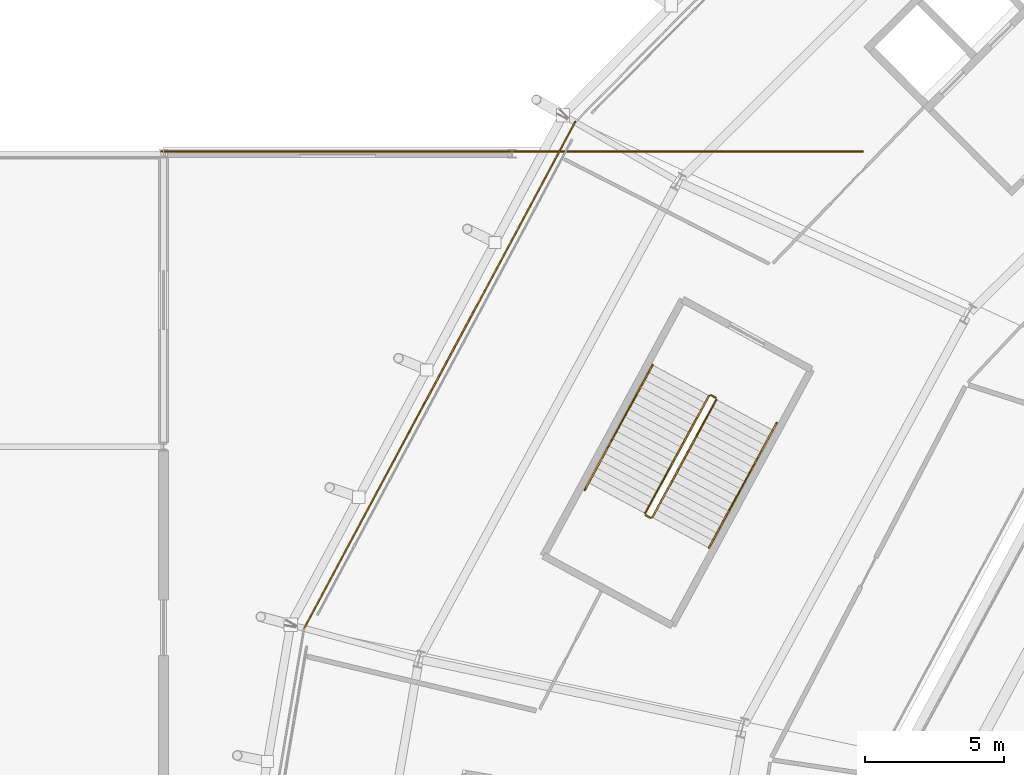
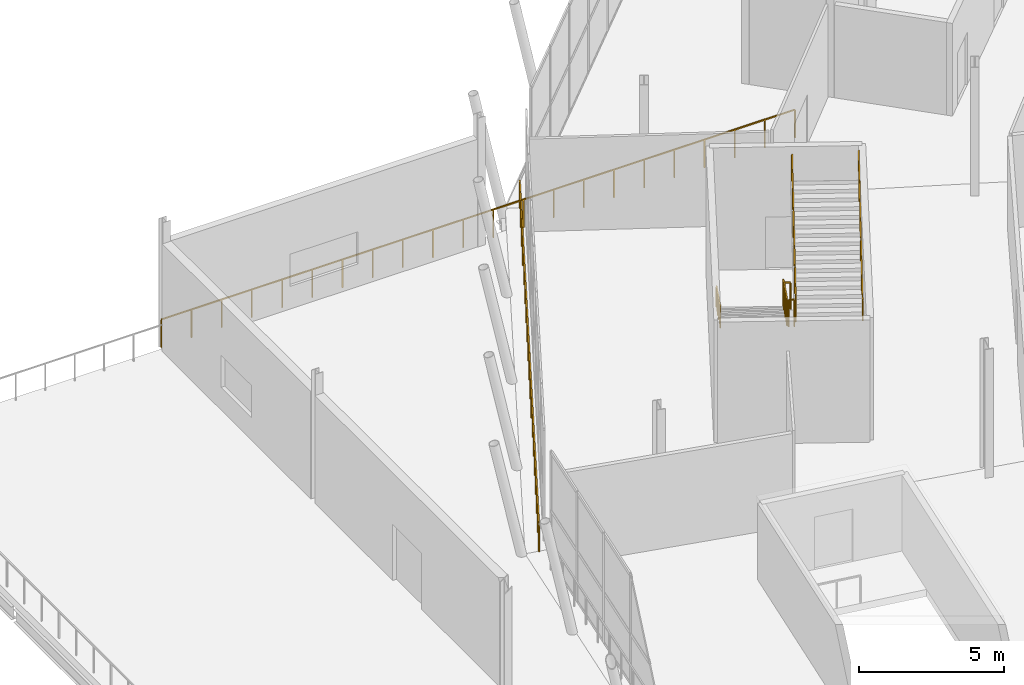
# One storey, part 113 of 126: 8 railings.
"""IFC4 building model written with IfcOpenShell, lengths in metres."""

import ifcopenshell
import ifcopenshell.guid

model = None  # the IFC model being written
_history = None  # IfcOwnerHistory: only IFC2X3 demands one
_inside = {}  # id of a spatial element -> (the spatial element, [elements in it])
_under = {}  # id of a project, library or spatial element -> (it, [spatial elements below it])
_declared = {}  # id of a project -> (the project, [libraries it declares])
_typed = {}  # id of a type object -> (the type object, [elements of that type])
_made_of = {}  # id of a material, layer set ... -> (it, [elements and type objects made of it])


def new_model(schema):
    """Start an empty IFC model of exactly this schema.

    Asked for "IFC4X3", IfcOpenShell would pick the latest addendum, in which some entities
    have other attributes; the version numbers below select the first issue.
    IFC2X3 requires an IfcOwnerHistory on every rooted entity: one is made here for all.
    """
    global model, _history
    if schema == "IFC4X3":
        model = ifcopenshell.file(schema_version=(4, 3, 0, 0))
    else:
        model = ifcopenshell.file(schema=schema)
    _inside.clear()
    _under.clear()
    _declared.clear()
    _typed.clear()
    _made_of.clear()
    _history = None
    if model.schema == "IFC2X3":
        org = make("IfcOrganization", Name="unknown")
        user = make(
            "IfcPersonAndOrganization",
            ThePerson=make("IfcPerson", FamilyName="unknown"),
            TheOrganization=org,
        )
        app = make(
            "IfcApplication",
            ApplicationDeveloper=org,
            Version="unknown",
            ApplicationFullName="unknown",
            ApplicationIdentifier="unknown",
        )
        _history = make(
            "IfcOwnerHistory",
            OwningUser=user,
            OwningApplication=app,
            ChangeAction="ADDED",
            CreationDate=0,
        )
    return model


def make(cls, **values):
    """One entity of the class cls with the attributes given. An attribute that is None is left unset."""
    return model.create_entity(
        cls, **{name: value for name, value in values.items() if value is not None}
    )


def rooted(cls, **values):
    """An entity with a GlobalId (a new one), such as an element, a storey or a relation."""
    return make(cls, GlobalId=ifcopenshell.guid.new(), OwnerHistory=_history, **values)


def si_unit(unit_type, name, prefix=None):
    """IfcSIUnit, for example si_unit("LENGTHUNIT", "METRE", prefix="MILLI")."""
    return make("IfcSIUnit", UnitType=unit_type, Prefix=prefix, Name=name)


def assignment(units):
    """IfcUnitAssignment: the units of a project."""
    return None if units is None else make("IfcUnitAssignment", Units=units)


def point(xyz):
    """IfcCartesianPoint."""
    return None if xyz is None else make("IfcCartesianPoint", Coordinates=xyz)


def direction(xyz):
    """IfcDirection."""
    return None if xyz is None else make("IfcDirection", DirectionRatios=xyz)


def frame(location, z_axis=None, x_axis=None):
    """IfcAxis2Placement3D, a coordinate frame: its origin and axes. An axis left out is left unset."""
    return make(
        "IfcAxis2Placement3D",
        Location=point(location),
        Axis=direction(z_axis),
        RefDirection=direction(x_axis),
    )


def frame_2d(location, x_axis=None):
    """IfcAxis2Placement2D, a coordinate frame in the plane: its origin and x axis."""
    return make(
        "IfcAxis2Placement2D", Location=point(location), RefDirection=direction(x_axis)
    )


def origin():
    """The frame at (0, 0, 0) with its axes left unset."""
    return frame((0.0, 0.0, 0.0))


def origin_2d():
    """The frame at (0, 0) in the plane with its x axis left unset."""
    return frame_2d((0.0, 0.0))


def place(relative_to, where):
    """IfcLocalPlacement: puts the frame where relative to a parent placement (None: the world)."""
    return make(
        "IfcLocalPlacement", PlacementRelTo=relative_to, RelativePlacement=where
    )


def context(
    kind, dimensions, precision=None, world=None, true_north=None, identifier=None
):
    """IfcGeometricRepresentationContext, for example the 3D "Model" context."""
    return make(
        "IfcGeometricRepresentationContext",
        ContextIdentifier=identifier,
        ContextType=kind,
        CoordinateSpaceDimension=dimensions,
        Precision=precision,
        WorldCoordinateSystem=world,
        TrueNorth=true_north,
    )


def subcontext(parent, identifier, kind, view, scale=None):
    """IfcGeometricRepresentationSubContext, for example "Body" below "Model"."""
    return make(
        "IfcGeometricRepresentationSubContext",
        ContextIdentifier=identifier,
        ContextType=kind,
        ParentContext=parent,
        TargetScale=scale,
        TargetView=view,
    )


def project(units=None, contexts=None):
    """IfcProject with its units and contexts."""
    return rooted(
        "IfcProject",
        Name="project",
        RepresentationContexts=contexts,
        UnitsInContext=assignment(units),
    )


def spatial(cls, under=None, at=None, **own):
    """A site, building, storey or space (cls), placed at a placement, below another one or the project."""
    s = rooted(cls, ObjectPlacement=at, **own)
    if under is not None:
        _under.setdefault(under.id(), (under, []))[1].append(s)
    return s


def profile(cls, at=None, kind="AREA", **sizes):
    """A parametric profile (cls). Its sizes go by their IFC names, for example OverallWidth=200.0."""
    return make(cls, ProfileType=kind, Position=at, **sizes)


def rectangle(**sizes):
    """IfcRectangleProfileDef."""
    return profile("IfcRectangleProfileDef", **sizes)


def extrude(swept, where, along, depth):
    """IfcExtrudedAreaSolid: the profile swept, set in the frame where, extruded along a direction by depth."""
    return make(
        "IfcExtrudedAreaSolid",
        SweptArea=swept,
        Position=where,
        ExtrudedDirection=direction(along),
        Depth=depth,
    )


def shape(context_of_items, identifier, shape_type, items):
    """IfcShapeRepresentation: the items that make up one representation, for example the "Body"."""
    return make(
        "IfcShapeRepresentation",
        ContextOfItems=context_of_items,
        RepresentationIdentifier=identifier,
        RepresentationType=shape_type,
        Items=items,
    )


def material(Name=None, Category=None):
    """IfcMaterial."""
    return make("IfcMaterial", Name=Name, Category=Category)


def made_of(thing, what):
    """Note that an element or type object is made of a material, layer set ...; save() writes the relation."""
    if what is not None:
        _made_of.setdefault(what.id(), (what, []))[1].append(thing)
    return thing


def type_object(cls, material=None, **own):
    """A type object (cls), such as IfcWallType, which elements share."""
    return made_of(rooted(cls, **own), material)


def element(
    cls,
    number,
    at=None,
    inside=None,
    cuts=None,
    type_object=None,
    material=None,
    context=None,
    identifier="Body",
    shape_type=None,
    held_by="IfcProductDefinitionShape",
    body=None,
    shapes=None,
    **own,
):
    """One element of the class cls, such as IfcWall. Its Tag is "e" and its number.

    at: its placement. inside: the storey or other place that contains it. cuts: it is an
    opening in that element (IfcRelVoidsElement). A single representation is given by context,
    identifier, shape_type and body (its items); several are given by shapes. held_by: the class
    of the entity that holds the representations. save() writes the other relations.
    """
    e = rooted(cls, Tag="e%d" % number, ObjectPlacement=at, **own)
    if body is not None:
        shapes = [shape(context, identifier, shape_type, body)]
    if shapes is not None:
        e.Representation = make(held_by, Representations=shapes)
    if inside is not None:
        _inside.setdefault(inside.id(), (inside, []))[1].append(e)
    if cuts is not None:
        rooted(
            "IfcRelVoidsElement", RelatingBuildingElement=cuts, RelatedOpeningElement=e
        )
    if type_object is not None:
        _typed.setdefault(type_object.id(), (type_object, []))[1].append(e)
    return made_of(e, material)


def aggregate(whole, parts):
    """IfcRelAggregates: a whole, such as a stair, and the parts it consists of."""
    return rooted("IfcRelAggregates", RelatingObject=whole, RelatedObjects=parts)


def save(model, path):
    """Write the relations noted so far, then the file.

    IfcRelAggregates (storeys below a building ...), IfcRelContainedInSpatialStructure (elements
    in a storey), IfcRelDefinesByType, IfcRelAssociatesMaterial and IfcRelDeclares: one each for
    every whole, place, type object, material and project.
    """
    for whole, parts in _under.values():
        aggregate(whole, parts)
    for where, things in _inside.values():
        rooted(
            "IfcRelContainedInSpatialStructure",
            RelatedElements=things,
            RelatingStructure=where,
        )
    for kind, things in _typed.values():
        rooted("IfcRelDefinesByType", RelatedObjects=things, RelatingType=kind)
    for what, things in _made_of.values():
        rooted("IfcRelAssociatesMaterial", RelatedObjects=things, RelatingMaterial=what)
    for by, libraries in _declared.values():
        rooted("IfcRelDeclares", RelatingContext=by, RelatedDefinitions=libraries)
    model.write(path)


model = new_model("IFC4")

# Units and contexts
model_context = context("Model", 3, precision=1e-05, world=origin(), true_north=direction((0.0, 1.0)))
body_context = subcontext(model_context, "Body", "Model", "MODEL_VIEW")
ifc_project = project(units=[si_unit("LENGTHUNIT", "METRE"), si_unit("AREAUNIT", "SQUARE_METRE"), si_unit("VOLUMEUNIT", "CUBIC_METRE"), si_unit("PLANEANGLEUNIT", "RADIAN"), si_unit("MASSUNIT", "GRAM", prefix="KILO")], contexts=[model_context])

# Site, building, storey
site_placement = place(None, origin())
site = spatial("IfcSite", under=ifc_project, at=site_placement, CompositionType="ELEMENT")
building_placement = place(site_placement, origin())
building = spatial("IfcBuilding", under=site, at=building_placement, Name="Zlatoyarsky Gate Stadium", CompositionType="ELEMENT")
storey_placement = place(building_placement, frame((0.0, 0.0, 20.800048828125)))
storey = spatial("IfcBuildingStorey", under=building, at=storey_placement, Name="L04", CompositionType="ELEMENT", Elevation=20.800048828125)

# Railings
ifc_material_1 = material(Name="Powder-coated steel tubular guardrail", Category="steel")
railing_type_1 = type_object("IfcRailingType", Name="CONCOURSE SLAB EDGE GUARDRAIL 1200", PredefinedType="GUARDRAIL", material=ifc_material_1)
railing_1_placement = place(storey_placement, frame((26.76220703125, 117.634765625, 0.0)))
element("IfcRailing", 1, at=railing_1_placement, inside=storey, type_object=railing_type_1, Name="L04 outer slab edge guardrail 10", PredefinedType="GUARDRAIL", context=body_context, shape_type="SweptSolid", body=[
    extrude(rectangle(XDim=0.048095703125, YDim=0.048095703125, at=origin_2d()), frame((0.0, 0.0, 1.17578125), z_axis=(-0.471925587959, -0.881638383596, 0.0), x_axis=(0.881638383596, -0.471925587959, 0.0)), (0.0, 0.0, 1.0), 20.5908203125),
    extrude(rectangle(XDim=0.0419921875, YDim=0.0419921875, at=origin_2d()), origin(), (0.0, 0.0, 1.0), 1.15185546875),
    extrude(rectangle(XDim=0.0419921875, YDim=0.0419921875, at=origin_2d()), frame((-0.539794921875, -1.008544921875, 0.0)), (0.0, 0.0, 1.0), 1.15185546875),
    extrude(rectangle(XDim=0.0419921875, YDim=0.0419921875, at=origin_2d()), frame((-1.07958984375, -2.01708984375, 0.0)), (0.0, 0.0, 1.0), 1.15185546875),
    extrude(rectangle(XDim=0.0419921875, YDim=0.0419921875, at=origin_2d()), frame((-1.61962890625, -3.025634765625, 0.0)), (0.0, 0.0, 1.0), 1.15185546875),
    extrude(rectangle(XDim=0.0419921875, YDim=0.0419921875, at=origin_2d()), frame((-2.159423828125, -4.0341796875, 0.0)), (0.0, 0.0, 1.0), 1.15185546875),
    extrude(rectangle(XDim=0.0419921875, YDim=0.0419921875, at=origin_2d()), frame((-2.69921875, -5.042724609375, 0.0)), (0.0, 0.0, 1.0), 1.15185546875),
    extrude(rectangle(XDim=0.0419921875, YDim=0.0419921875, at=origin_2d()), frame((-3.239013671875, -6.05126953125, 0.0)), (0.0, 0.0, 1.0), 1.15185546875),
    extrude(rectangle(XDim=0.0419921875, YDim=0.0419921875, at=origin_2d()), frame((-3.779052734375, -7.059814453125, 0.0)), (0.0, 0.0, 1.0), 1.15185546875),
    extrude(rectangle(XDim=0.0419921875, YDim=0.0419921875, at=origin_2d()), frame((-4.31884765625, -8.068359375, 0.0)), (0.0, 0.0, 1.0), 1.15185546875),
    extrude(rectangle(XDim=0.0419921875, YDim=0.0419921875, at=origin_2d()), frame((-4.858642578125, -9.07666015625, 0.0)), (0.0, 0.0, 1.0), 1.15185546875),
    extrude(rectangle(XDim=0.0419921875, YDim=0.0419921875, at=origin_2d()), frame((-5.3984375, -10.085205078125, 0.0)), (0.0, 0.0, 1.0), 1.15185546875),
    extrude(rectangle(XDim=0.0419921875, YDim=0.0419921875, at=origin_2d()), frame((-5.938232421875, -11.09375, 0.0)), (0.0, 0.0, 1.0), 1.15185546875),
    extrude(rectangle(XDim=0.0419921875, YDim=0.0419921875, at=origin_2d()), frame((-6.478271484375, -12.102294921875, 0.0)), (0.0, 0.0, 1.0), 1.15185546875),
    extrude(rectangle(XDim=0.0419921875, YDim=0.0419921875, at=origin_2d()), frame((-7.01806640625, -13.11083984375, 0.0)), (0.0, 0.0, 1.0), 1.15185546875),
    extrude(rectangle(XDim=0.0419921875, YDim=0.0419921875, at=origin_2d()), frame((-7.557861328125, -14.119384765625, 0.0)), (0.0, 0.0, 1.0), 1.15185546875),
    extrude(rectangle(XDim=0.0419921875, YDim=0.0419921875, at=origin_2d()), frame((-8.09765625, -15.1279296875, 0.0)), (0.0, 0.0, 1.0), 1.15185546875),
    extrude(rectangle(XDim=0.0419921875, YDim=0.0419921875, at=origin_2d()), frame((-8.6376953125, -16.136474609375, 0.0)), (0.0, 0.0, 1.0), 1.15185546875),
    extrude(rectangle(XDim=0.0419921875, YDim=0.0419921875, at=origin_2d()), frame((-9.177490234375, -17.14501953125, 0.0)), (0.0, 0.0, 1.0), 1.15185546875),
    extrude(rectangle(XDim=0.0419921875, YDim=0.0419921875, at=origin_2d()), frame((-9.71728515625, -18.153564453125, 0.0)), (0.0, 0.0, 1.0), 1.15185546875),
])
railing_2_placement = place(storey_placement, frame((11.919921875, 116.580078125, 0.0)))
element("IfcRailing", 2, at=railing_2_placement, inside=storey, type_object=railing_type_1, Name="V4_WEST L04 N slab edge guardrail", PredefinedType="GUARDRAIL", context=body_context, shape_type="SweptSolid", body=[
    extrude(rectangle(XDim=0.048095703125, YDim=0.048095703125, at=origin_2d()), frame((0.0, 0.0, 1.17578125), z_axis=(1.0, 0.0, 0.0), x_axis=(0.0, 1.0, 0.0)), (0.0, 0.0, 1.0), 25.16015625),
    extrude(rectangle(XDim=0.0419921875, YDim=0.0419921875, at=origin_2d()), origin(), (0.0, 0.0, 1.0), 1.15185546875),
    extrude(rectangle(XDim=0.0419921875, YDim=0.0419921875, at=origin_2d()), frame((1.197998046875, 0.0, 0.0)), (0.0, 0.0, 1.0), 1.15185546875),
    extrude(rectangle(XDim=0.0419921875, YDim=0.0419921875, at=origin_2d()), frame((2.396240234375, 0.0, 0.0)), (0.0, 0.0, 1.0), 1.15185546875),
    extrude(rectangle(XDim=0.0419921875, YDim=0.0419921875, at=origin_2d()), frame((3.59423828125, 0.0, 0.0)), (0.0, 0.0, 1.0), 1.15185546875),
    extrude(rectangle(XDim=0.0419921875, YDim=0.0419921875, at=origin_2d()), frame((4.79248046875, 0.0, 0.0)), (0.0, 0.0, 1.0), 1.15185546875),
    extrude(rectangle(XDim=0.0419921875, YDim=0.0419921875, at=origin_2d()), frame((5.990478515625, 0.0, 0.0)), (0.0, 0.0, 1.0), 1.15185546875),
    extrude(rectangle(XDim=0.0419921875, YDim=0.0419921875, at=origin_2d()), frame((7.188720703125, 0.0, 0.0)), (0.0, 0.0, 1.0), 1.15185546875),
    extrude(rectangle(XDim=0.0419921875, YDim=0.0419921875, at=origin_2d()), frame((8.38671875, 0.0, 0.0)), (0.0, 0.0, 1.0), 1.15185546875),
    extrude(rectangle(XDim=0.0419921875, YDim=0.0419921875, at=origin_2d()), frame((9.584716796875, 0.0, 0.0)), (0.0, 0.0, 1.0), 1.15185546875),
    extrude(rectangle(XDim=0.0419921875, YDim=0.0419921875, at=origin_2d()), frame((10.782958984375, 0.0, 0.0)), (0.0, 0.0, 1.0), 1.15185546875),
    extrude(rectangle(XDim=0.0419921875, YDim=0.0419921875, at=origin_2d()), frame((11.98095703125, 0.0, 0.0)), (0.0, 0.0, 1.0), 1.15185546875),
    extrude(rectangle(XDim=0.0419921875, YDim=0.0419921875, at=origin_2d()), frame((13.17919921875, 0.0, 0.0)), (0.0, 0.0, 1.0), 1.15185546875),
    extrude(rectangle(XDim=0.0419921875, YDim=0.0419921875, at=origin_2d()), frame((14.377197265625, 0.0, 0.0)), (0.0, 0.0, 1.0), 1.15185546875),
    extrude(rectangle(XDim=0.0419921875, YDim=0.0419921875, at=origin_2d()), frame((15.575439453125, 0.0, 0.0)), (0.0, 0.0, 1.0), 1.15185546875),
    extrude(rectangle(XDim=0.0419921875, YDim=0.0419921875, at=origin_2d()), frame((16.7734375, 0.0, 0.0)), (0.0, 0.0, 1.0), 1.15185546875),
    extrude(rectangle(XDim=0.0419921875, YDim=0.0419921875, at=origin_2d()), frame((17.971435546875, 0.0, 0.0)), (0.0, 0.0, 1.0), 1.15185546875),
    extrude(rectangle(XDim=0.0419921875, YDim=0.0419921875, at=origin_2d()), frame((19.169677734375, 0.0, 0.0)), (0.0, 0.0, 1.0), 1.15185546875),
    extrude(rectangle(XDim=0.0419921875, YDim=0.0419921875, at=origin_2d()), frame((20.36767578125, 0.0, 0.0)), (0.0, 0.0, 1.0), 1.15185546875),
    extrude(rectangle(XDim=0.0419921875, YDim=0.0419921875, at=origin_2d()), frame((21.56591796875, 0.0, 0.0)), (0.0, 0.0, 1.0), 1.15185546875),
    extrude(rectangle(XDim=0.0419921875, YDim=0.0419921875, at=origin_2d()), frame((22.763916015625, 0.0, 0.0)), (0.0, 0.0, 1.0), 1.15185546875),
    extrude(rectangle(XDim=0.0419921875, YDim=0.0419921875, at=origin_2d()), frame((23.962158203125, 0.0, 0.0)), (0.0, 0.0, 1.0), 1.15185546875),
    extrude(rectangle(XDim=0.0419921875, YDim=0.0419921875, at=origin_2d()), frame((25.16015625, 0.0, 0.0)), (0.0, 0.0, 1.0), 1.15185546875),
])
ifc_material_2 = material(Name="Powder-coated steel stair guardrail", Category="steel")
railing_type_2 = type_object("IfcRailingType", Name="PAINTED STEEL STAIR WELL GUARDRAIL 1150", PredefinedType="GUARDRAIL", material=ifc_material_2)
railing_3_placement = place(storey_placement, frame((31.562744140625, 107.824951171875, 0.15869140625)))
element("IfcRailing", 3, at=railing_3_placement, inside=storey, type_object=railing_type_2, Name="ST-06 L04 stair guard 1", PredefinedType="GUARDRAIL", context=body_context, shape_type="SweptSolid", body=[
    extrude(rectangle(XDim=0.048095703125, YDim=0.048095703125, at=origin_2d()), frame((0.0, 0.0, 1.1259765625), z_axis=(-0.421466855594, -0.776809804983, 0.467901930448), x_axis=(0.878962478599, -0.4768909322, 0.0)), (0.0, 0.0, 1.0), 5.43115234375),
    extrude(rectangle(XDim=0.0419921875, YDim=0.0419921875, at=origin_2d()), origin(), (0.0, 0.0, 1.0), 1.101806640625),
    extrude(rectangle(XDim=0.0419921875, YDim=0.0419921875, at=origin_2d()), frame((-0.457763671875, -0.84375, 0.50830078125)), (0.0, 0.0, 1.0), 1.101806640625),
    extrude(rectangle(XDim=0.0419921875, YDim=0.0419921875, at=origin_2d()), frame((-0.91552734375, -1.6875, 1.0166015625)), (0.0, 0.0, 1.0), 1.101806640625),
    extrude(rectangle(XDim=0.0419921875, YDim=0.0419921875, at=origin_2d()), frame((-1.37353515625, -2.531494140625, 1.524658203125)), (0.0, 0.0, 1.0), 1.101806640625),
    extrude(rectangle(XDim=0.0419921875, YDim=0.0419921875, at=origin_2d()), frame((-1.831298828125, -3.375244140625, 2.032958984375)), (0.0, 0.0, 1.0), 1.101806640625),
    extrude(rectangle(XDim=0.0419921875, YDim=0.0419921875, at=origin_2d()), frame((-2.2890625, -4.218994140625, 2.541259765625)), (0.0, 0.0, 1.0), 1.101806640625),
])
railing_4_placement = place(storey_placement, frame((29.293701171875, 103.538330078125, 2.699951171875)))
element("IfcRailing", 4, at=railing_4_placement, inside=storey, type_object=railing_type_2, Name="ST-06 L04 stair guard 2", PredefinedType="GUARDRAIL", context=body_context, shape_type="SweptSolid", body=[
    extrude(rectangle(XDim=0.048095703125, YDim=0.048095703125, at=origin_2d()), frame((0.0, 0.0, 1.1259765625), z_axis=(0.878780312785, -0.477226530971, 0.0), x_axis=(0.477226530971, 0.878780312785, 0.0)), (0.0, 0.0, 1.0), 0.199951171875),
    extrude(rectangle(XDim=0.0419921875, YDim=0.0419921875, at=origin_2d()), origin(), (0.0, 0.0, 1.0), 1.101806640625),
    extrude(rectangle(XDim=0.0419921875, YDim=0.0419921875, at=origin_2d()), frame((0.17578125, -0.095458984375, 0.0)), (0.0, 0.0, 1.0), 1.101806640625),
])
railing_5_placement = place(storey_placement, frame((29.537353515625, 103.462890625, 2.85888671875)))
element("IfcRailing", 5, at=railing_5_placement, inside=storey, type_object=railing_type_2, Name="ST-06 L04 stair guard 3", PredefinedType="GUARDRAIL", context=body_context, shape_type="SweptSolid", body=[
    extrude(rectangle(XDim=0.048095703125, YDim=0.048095703125, at=origin_2d()), frame((0.0, 0.0, 1.1259765625), z_axis=(0.421475720149, 0.776826143334, 0.467866819039), x_axis=(-0.878962478599, 0.4768909322, 0.0)), (0.0, 0.0, 1.0), 5.43115234375),
    extrude(rectangle(XDim=0.0419921875, YDim=0.0419921875, at=origin_2d()), origin(), (0.0, 0.0, 1.0), 1.101806640625),
    extrude(rectangle(XDim=0.0419921875, YDim=0.0419921875, at=origin_2d()), frame((0.457763671875, 0.84375, 0.50830078125)), (0.0, 0.0, 1.0), 1.101806640625),
    extrude(rectangle(XDim=0.0419921875, YDim=0.0419921875, at=origin_2d()), frame((0.91552734375, 1.6875, 1.016357421875)), (0.0, 0.0, 1.0), 1.101806640625),
    extrude(rectangle(XDim=0.0419921875, YDim=0.0419921875, at=origin_2d()), frame((1.37353515625, 2.531494140625, 1.524658203125)), (0.0, 0.0, 1.0), 1.101806640625),
    extrude(rectangle(XDim=0.0419921875, YDim=0.0419921875, at=origin_2d()), frame((1.831298828125, 3.375244140625, 2.03271484375)), (0.0, 0.0, 1.0), 1.101806640625),
    extrude(rectangle(XDim=0.0419921875, YDim=0.0419921875, at=origin_2d()), frame((2.2890625, 4.218994140625, 2.541015625)), (0.0, 0.0, 1.0), 1.101806640625),
])
railing_6_placement = place(storey_placement, frame((31.63037109375, 107.84521484375, 0.0)))
element("IfcRailing", 6, at=railing_6_placement, inside=storey, type_object=railing_type_2, Name="ST-06 L04 stair guard 4", PredefinedType="GUARDRAIL", context=body_context, shape_type="SweptSolid", body=[
    extrude(rectangle(XDim=0.048095703125, YDim=0.048095703125, at=origin_2d()), frame((0.0, 0.0, 1.1259765625), z_axis=(0.878780312785, -0.477226530971, 0.0), x_axis=(0.477226530971, 0.878780312785, 0.0)), (0.0, 0.0, 1.0), 0.199951171875),
    extrude(rectangle(XDim=0.0419921875, YDim=0.0419921875, at=origin_2d()), origin(), (0.0, 0.0, 1.0), 1.101806640625),
    extrude(rectangle(XDim=0.0419921875, YDim=0.0419921875, at=origin_2d()), frame((0.17578125, -0.095458984375, 0.0)), (0.0, 0.0, 1.0), 1.101806640625),
])
ifc_material_3 = material(Name="Brushed stainless steel 316 handrail", Category="steel")
railing_type_3 = type_object("IfcRailingType", Name="STAINLESS STEEL TUBULAR HANDRAIL 900", PredefinedType="HANDRAIL", material=ifc_material_3)
railing_7_placement = place(storey_placement, frame((29.541015625, 108.921875, 0.162841796875)))
element("IfcRailing", 7, at=railing_7_placement, inside=storey, type_object=railing_type_3, Name="ST-06 L04 stair handrail 1", PredefinedType="HANDRAIL", context=body_context, shape_type="SweptSolid", body=[
    extrude(rectangle(XDim=0.048095703125, YDim=0.048095703125, at=origin_2d()), frame((0.0, 0.0, 0.8759765625), z_axis=(-0.421472414376, -0.776817406179, 0.467884303411), x_axis=(0.878961798155, -0.476892186331, 0.0)), (0.0, 0.0, 1.0), 5.7705078125),
    extrude(rectangle(XDim=0.0419921875, YDim=0.0419921875, at=origin_2d()), origin(), (0.0, 0.0, 1.0), 0.851806640625),
    extrude(rectangle(XDim=0.0419921875, YDim=0.0419921875, at=origin_2d()), frame((-0.486328125, -0.896484375, 0.5400390625)), (0.0, 0.0, 1.0), 0.851806640625),
    extrude(rectangle(XDim=0.0419921875, YDim=0.0419921875, at=origin_2d()), frame((-0.972900390625, -1.79296875, 1.080078125)), (0.0, 0.0, 1.0), 0.851806640625),
    extrude(rectangle(XDim=0.0419921875, YDim=0.0419921875, at=origin_2d()), frame((-1.459228515625, -2.689697265625, 1.619873046875)), (0.0, 0.0, 1.0), 0.851806640625),
    extrude(rectangle(XDim=0.0419921875, YDim=0.0419921875, at=origin_2d()), frame((-1.94580078125, -3.586181640625, 2.159912109375)), (0.0, 0.0, 1.0), 0.851806640625),
    extrude(rectangle(XDim=0.0419921875, YDim=0.0419921875, at=origin_2d()), frame((-2.43212890625, -4.482666015625, 2.699951171875)), (0.0, 0.0, 1.0), 0.851806640625),
])
railing_8_placement = place(storey_placement, frame((31.558837890625, 102.3662109375, 2.86279296875)))
element("IfcRailing", 8, at=railing_8_placement, inside=storey, type_object=railing_type_3, Name="ST-06 L04 stair handrail 2", PredefinedType="HANDRAIL", context=body_context, shape_type="SweptSolid", body=[
    extrude(rectangle(XDim=0.048095703125, YDim=0.048095703125, at=origin_2d()), frame((0.0, 0.0, 0.8759765625), z_axis=(0.421472414376, 0.776817406179, 0.467884303411), x_axis=(-0.878961798155, 0.476892186331, 0.0)), (0.0, 0.0, 1.0), 5.7705078125),
    extrude(rectangle(XDim=0.0419921875, YDim=0.0419921875, at=origin_2d()), origin(), (0.0, 0.0, 1.0), 0.851806640625),
    extrude(rectangle(XDim=0.0419921875, YDim=0.0419921875, at=origin_2d()), frame((0.486328125, 0.896484375, 0.5400390625)), (0.0, 0.0, 1.0), 0.851806640625),
    extrude(rectangle(XDim=0.0419921875, YDim=0.0419921875, at=origin_2d()), frame((0.972900390625, 1.79296875, 1.080078125)), (0.0, 0.0, 1.0), 0.851806640625),
    extrude(rectangle(XDim=0.0419921875, YDim=0.0419921875, at=origin_2d()), frame((1.459228515625, 2.689697265625, 1.619873046875)), (0.0, 0.0, 1.0), 0.851806640625),
    extrude(rectangle(XDim=0.0419921875, YDim=0.0419921875, at=origin_2d()), frame((1.94580078125, 3.586181640625, 2.159912109375)), (0.0, 0.0, 1.0), 0.851806640625),
    extrude(rectangle(XDim=0.0419921875, YDim=0.0419921875, at=origin_2d()), frame((2.43212890625, 4.482666015625, 2.699951171875)), (0.0, 0.0, 1.0), 0.851806640625),
])

save(model, "model.ifc")
